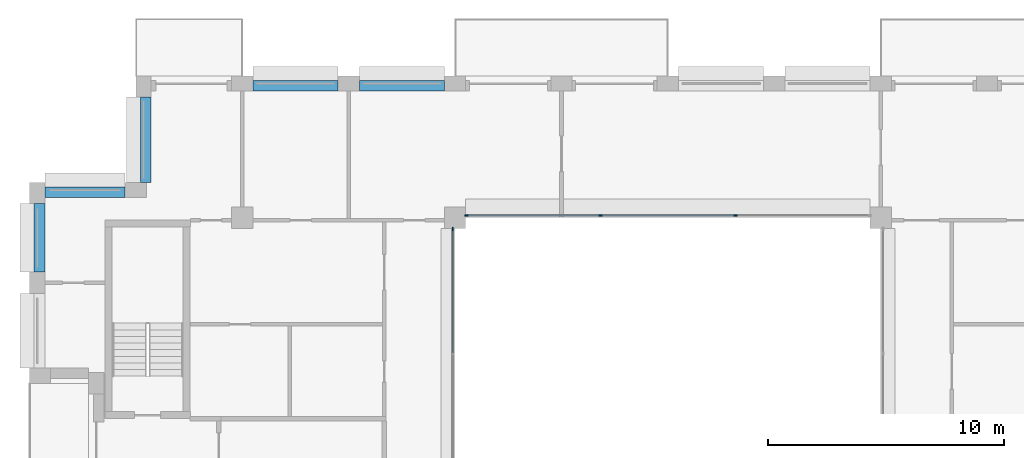
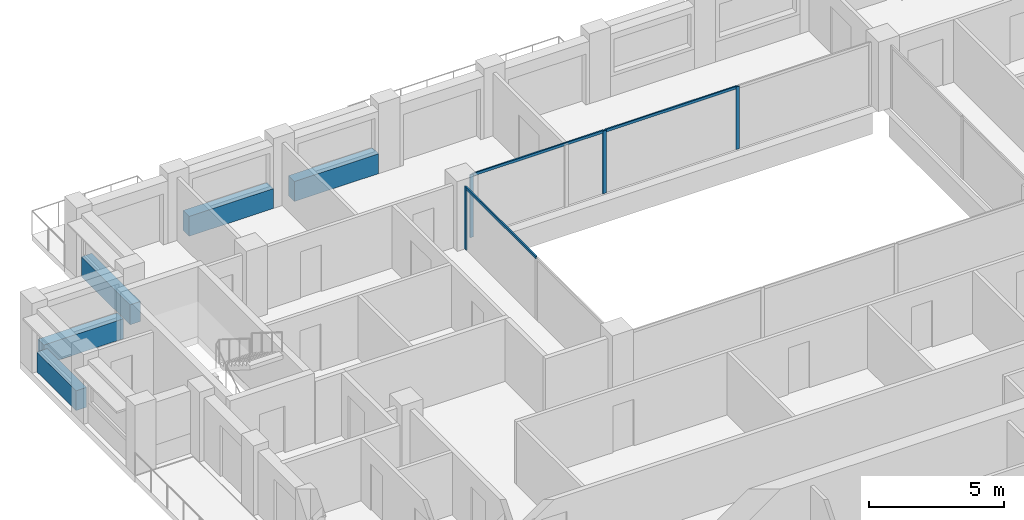
# One storey, part 5 of 15: 7 members, 5 beams, 2 elements without a shape of their own.
"""IFC4 building model written with IfcOpenShell, lengths in metres."""

from ifc_helpers import new_model, si_unit, direction, frame, origin, origin_2d, place, context, subcontext, project, spatial, rectangle, extrude, material, layer, layer_set, material_profile, profile_set, type_object, element, aggregate, save


model = new_model("IFC4")

# Units and contexts
model_context = context("Model", 3, precision=1e-05, world=origin(), true_north=direction((0.0, 1.0)))
body_context = subcontext(model_context, "Body", "Model", "MODEL_VIEW")
ifc_project = project(units=[si_unit("LENGTHUNIT", "METRE"), si_unit("AREAUNIT", "SQUARE_METRE"), si_unit("VOLUMEUNIT", "CUBIC_METRE"), si_unit("PLANEANGLEUNIT", "RADIAN"), si_unit("MASSUNIT", "GRAM", prefix="KILO")], contexts=[model_context])

# Site, building, storey
site_placement = place(None, origin())
site = spatial("IfcSite", under=ifc_project, at=site_placement, CompositionType="ELEMENT")
building_placement = place(site_placement, origin())
building = spatial("IfcBuilding", under=site, at=building_placement, Name="Brigalow Station Residences", CompositionType="ELEMENT")
storey_placement = place(building_placement, frame((0.0, 0.0, 223.199951171875)))
storey = spatial("IfcBuildingStorey", under=building, at=storey_placement, Name="L64", CompositionType="ELEMENT", Elevation=223.199951171875)

# Curtain wall, members
ifc_material_1 = material(Name="Aluminium", Category="aluminium")
ifc_layer = layer(ifc_material_1, 0.14990234375)
ifc_layer_set = layer_set([ifc_layer], Name="ATRIUM FIRE-RATED GLAZING CURTAIN WALL")
curtain_wall_type = type_object("IfcCurtainWallType", Name="ATRIUM FIRE-RATED GLAZING CURTAIN WALL", PredefinedType="NOTDEFINED", material=ifc_layer_set)
curtain_wall_1_placement = place(storey_placement, origin())
curtain_wall_1 = element("IfcCurtainWall", 1, at=curtain_wall_1_placement, inside=storey, type_object=curtain_wall_type, Name="L64/cw/atrium-N", PredefinedType="NOTDEFINED")
ifc_material_2 = material(Name="Aluminium", Category="aluminium")
ifc_material_profile_1 = material_profile(ifc_material_2, rectangle(XDim=0.06005859375, YDim=0.14990234375, at=origin_2d()), Name="ATRIUM FIRE-RATED GLAZING MULLION 60x150")
ifc_profile_set_1 = profile_set([ifc_material_profile_1], Name="Aluminium")
member_type_1 = type_object("IfcMemberType", Name="ATRIUM FIRE-RATED GLAZING MULLION 60x150", PredefinedType="MULLION", material=ifc_profile_set_1)
member_1_placement = place(storey_placement, frame((38.85009765625, 35.60009765625, 0.0), z_axis=(0.0, 0.0, 1.0), x_axis=(0.0, -1.0, 0.0)))
member_1 = element("IfcMember", 2, at=member_1_placement, type_object=member_type_1, Name="L64/cw/atrium-N/M01", PredefinedType="MULLION", context=body_context, shape_type="SweptSolid", body=[
    extrude(rectangle(XDim=0.06005859375, YDim=0.14990234375, at=origin_2d()), origin(), (0.0, 0.0, 1.0), 2.830078125),
])
member_2_placement = place(storey_placement, frame((33.14990234375, 35.60009765625, 0.0), z_axis=(0.0, 0.0, 1.0), x_axis=(0.0, -1.0, 0.0)))
member_2 = element("IfcMember", 3, at=member_2_placement, type_object=member_type_1, Name="L64/cw/atrium-N/M02", PredefinedType="MULLION", context=body_context, shape_type="SweptSolid", body=[
    extrude(rectangle(XDim=0.06005859375, YDim=0.14990234375, at=origin_2d()), origin(), (0.0, 0.0, 1.0), 2.830078125),
])
member_3_placement = place(storey_placement, frame((27.47998046875, 35.60009765625, 0.0), z_axis=(0.0, 0.0, 1.0), x_axis=(0.0, -1.0, 0.0)))
member_3 = element("IfcMember", 4, at=member_3_placement, type_object=member_type_1, Name="L64/cw/atrium-N/M03", PredefinedType="MULLION", context=body_context, shape_type="SweptSolid", body=[
    extrude(rectangle(XDim=0.06005859375, YDim=0.14990234375, at=origin_2d()), origin(), (0.0, 0.0, 1.0), 2.830078125),
])

# Curtain wall, member
curtain_wall_2_placement = place(storey_placement, origin())
curtain_wall_2 = element("IfcCurtainWall", 5, at=curtain_wall_2_placement, inside=storey, type_object=curtain_wall_type, Name="L64/cw/atrium-W", PredefinedType="NOTDEFINED")
member_4_placement = place(storey_placement, frame((26.89990234375, 35.02001953125, 0.0), z_axis=(0.0, 0.0, 1.0), x_axis=(1.0, 0.0, 0.0)))
member_4 = element("IfcMember", 6, at=member_4_placement, type_object=member_type_1, Name="L64/cw/atrium-W/M00", PredefinedType="MULLION", context=body_context, shape_type="SweptSolid", body=[
    extrude(rectangle(XDim=0.06005859375, YDim=0.14990234375, at=origin_2d()), origin(), (0.0, 0.0, 1.0), 2.830078125),
])

# Member
ifc_material_3 = material(Name="Aluminium", Category="aluminium")
ifc_material_profile_2 = material_profile(ifc_material_3, rectangle(XDim=0.06005859375, YDim=0.1201171875, at=origin_2d()), Name="ATRIUM FIRE-RATED GLAZING TRANSOM 60x120")
ifc_profile_set_2 = profile_set([ifc_material_profile_2], Name="Aluminium")
member_type_2 = type_object("IfcMemberType", Name="ATRIUM FIRE-RATED GLAZING TRANSOM 60x120", PredefinedType="USERDEFINED", material=ifc_profile_set_2)
member_5_placement = place(storey_placement, frame((38.820068359375, 35.60009765625, 2.800048828125), z_axis=(-1.0, 0.0, 0.0), x_axis=(0.0, -1.0, 0.0)))
member_5 = element("IfcMember", 7, at=member_5_placement, type_object=member_type_2, Name="L64/cw/atrium-N/T01-00", ObjectType="TRANSOM", PredefinedType="USERDEFINED", context=body_context, shape_type="SweptSolid", body=[
    extrude(rectangle(XDim=0.06005859375, YDim=0.1201171875, at=origin_2d()), origin(), (0.0, 0.0, 1.0), 5.64013671875),
])

member_6_placement = place(storey_placement, frame((33.1201171875, 35.60009765625, 2.800048828125), z_axis=(-1.0, 0.0, 0.0), x_axis=(0.0, -1.0, 0.0)))
member_6 = element("IfcMember", 8, at=member_6_placement, type_object=member_type_2, Name="L64/cw/atrium-N/T02-00", ObjectType="TRANSOM", PredefinedType="USERDEFINED", context=body_context, shape_type="SweptSolid", body=[
    extrude(rectangle(XDim=0.06005859375, YDim=0.1201171875, at=origin_2d()), origin(), (0.0, 0.0, 1.0), 5.610107421875),
])

aggregate(curtain_wall_1, [member_1, member_2, member_3, member_5, member_6])

member_7_placement = place(storey_placement, frame((26.89990234375, 34.989990234375, 2.800048828125), z_axis=(0.0, -1.0, 0.0), x_axis=(1.0, 0.0, 0.0)))
member_7 = element("IfcMember", 9, at=member_7_placement, type_object=member_type_2, Name="L64/cw/atrium-W/T00-00", ObjectType="TRANSOM", PredefinedType="USERDEFINED", context=body_context, shape_type="SweptSolid", body=[
    extrude(rectangle(XDim=0.06005859375, YDim=0.1201171875, at=origin_2d()), origin(), (0.0, 0.0, 1.0), 5.2099609375),
])

aggregate(curtain_wall_2, [member_4, member_7])

# Beams
ifc_material_4 = material(Name="Concrete C50", Category="concrete")
ifc_material_profile_3 = material_profile(ifc_material_4, rectangle(XDim=0.449951171875, YDim=0.89990234375, at=origin_2d()), Name="RC450x900")
ifc_profile_set_3 = profile_set([ifc_material_profile_3], Name="Concrete C50")
beam_type = type_object("IfcBeamType", Name="SPANDREL BEAM 450x900 C50", PredefinedType="SPANDREL", material=ifc_profile_set_3)
for number, where, z_axis, x_axis, name in (
    (10, (26.550048828125, 41.074951171875, 0.449951171875), (-1.0, 0.0, 0.0), (0.0, -1.0, 0.0), "L64/spandrel/W-L64-29"),
    (11, (22.050048828125, 41.074951171875, 0.449951171875), (-1.0, 0.0, 0.0), (0.0, -1.0, 0.0), "L64/spandrel/W-L64-30"),
    (12, (13.925048828125, 40.60009765625, 0.449951171875), (0.0, -1.0, 0.0), (1.0, 0.0, 0.0), "L64/spandrel/W-L64-32"),
):
    element("IfcBeam", number, at=place(storey_placement, frame(where, z_axis=z_axis, x_axis=x_axis)), inside=storey, type_object=beam_type, Name=name, PredefinedType="SPANDREL", context=body_context, shape_type="SweptSolid", body=[
        extrude(rectangle(XDim=0.449951171875, YDim=0.89990234375, at=origin_2d()), origin(), (0.0, 0.0, 1.0), 3.60009765625),
    ])
beam_1_placement = place(storey_placement, frame((13.050048828125, 36.574951171875, 0.449951171875), z_axis=(-1.0, 0.0, 0.0), x_axis=(0.0, -1.0, 0.0)))
element("IfcBeam", 13, at=beam_1_placement, inside=storey, type_object=beam_type, Name="L64/spandrel/W-L64-33", PredefinedType="SPANDREL", context=body_context, shape_type="SweptSolid", body=[
    extrude(rectangle(XDim=0.449951171875, YDim=0.89990234375, at=origin_2d()), origin(), (0.0, 0.0, 1.0), 3.400146484375),
])
beam_2_placement = place(storey_placement, frame((9.425048828125, 36.10009765625, 0.449951171875), z_axis=(0.0, -1.0, 0.0), x_axis=(1.0, 0.0, 0.0)))
element("IfcBeam", 14, at=beam_2_placement, inside=storey, type_object=beam_type, Name="L64/spandrel/W-L64-34", PredefinedType="SPANDREL", context=body_context, shape_type="SweptSolid", body=[
    extrude(rectangle(XDim=0.449951171875, YDim=0.89990234375, at=origin_2d()), origin(), (0.0, 0.0, 1.0), 2.900146484375),
])

save(model, "model.ifc")
